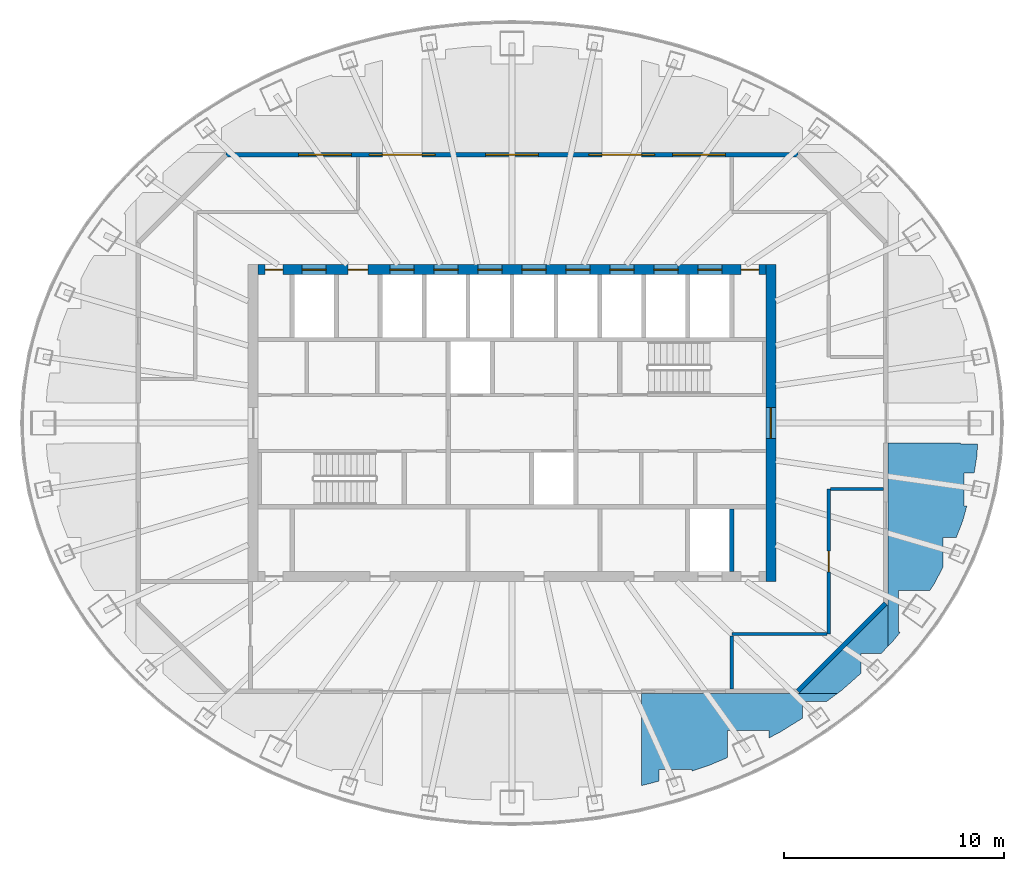
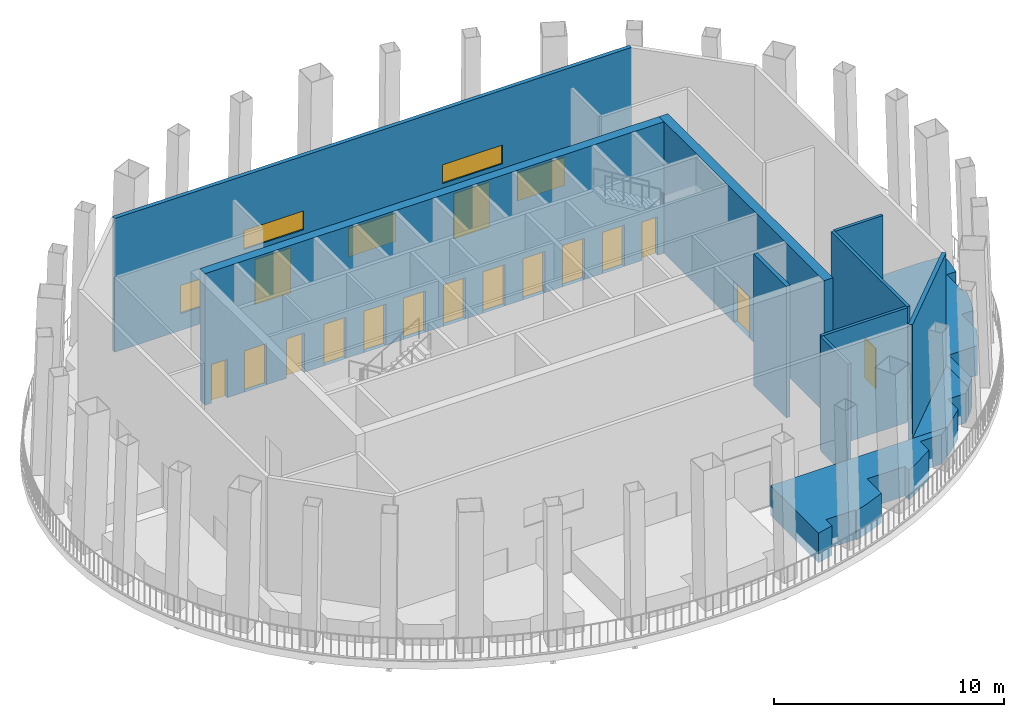
# One storey, part 5 of 12: 16 doors, 12 walls, 5 windows, 21 openings.
"""IFC4 building model written with IfcOpenShell, lengths in metres."""

from ifc_helpers import new_model, si_unit, direction, frame, frame_2d, origin, place, context, subcontext, project, spatial, polyline, rectangle, outline, extrude, material, layer, layer_set, type_object, element, fill, save


model = new_model("IFC4")

# Units and contexts
model_context = context("Model", 3, precision=1e-05, world=origin(), true_north=direction((0.0, 1.0)))
body_context = subcontext(model_context, "Body", "Model", "MODEL_VIEW")
ifc_project = project(units=[si_unit("LENGTHUNIT", "METRE"), si_unit("AREAUNIT", "SQUARE_METRE"), si_unit("VOLUMEUNIT", "CUBIC_METRE"), si_unit("PLANEANGLEUNIT", "RADIAN"), si_unit("MASSUNIT", "GRAM", prefix="KILO")], contexts=[model_context])

# Site, building, storey
site_placement = place(None, origin())
site = spatial("IfcSite", under=ifc_project, at=site_placement, CompositionType="ELEMENT")
building_placement = place(site_placement, origin())
building = spatial("IfcBuilding", under=site, at=building_placement, Name="Siaravel Broadcast Tower", CompositionType="ELEMENT")
storey_placement = place(building_placement, frame((0.0, 0.0, 205.199951171875)))
storey = spatial("IfcBuildingStorey", under=building, at=storey_placement, Name="L50", CompositionType="ELEMENT", Elevation=205.199951171875)

# Wall, opening, door
ifc_material_1 = material(Name="Concrete C60/75", Category="concrete")
ifc_layer_1 = layer(ifc_material_1, 0.449951171875)
ifc_layer_set_1 = layer_set([ifc_layer_1], Name="Concrete C60/75")
wall_type_1 = type_object("IfcWallType", Name="Core wall 450", PredefinedType="SHEAR", material=ifc_layer_set_1)
wall_1_placement = place(storey_placement, frame((11.77490234375, -7.199951171875, 0.0), z_axis=(0.0, 0.0, 1.0), x_axis=(0.0, 1.0, 0.0)))
wall_1 = element("IfcWall", 1, at=wall_1_placement, inside=storey, type_object=wall_type_1, Name="L50 core wall OE", PredefinedType="SHEAR", context=body_context, shape_type="SweptSolid", body=[
    extrude(rectangle(XDim=14.39990234375, YDim=0.449951171875, at=frame_2d((7.199951171875, 0.0))), origin(), (0.0, 0.0, 1.0), 7.0),
])
opening_1_placement = place(wall_1_placement, frame((6.5, 0.0, 0.0)))
opening_1 = element("IfcOpeningElement", 2, at=opening_1_placement, cuts=wall_1, Name="Opening L50-DX-E", PredefinedType="OPENING", context=body_context, shape_type="SweptSolid", body=[
    extrude(rectangle(XDim=1.39990234375, YDim=2.199951171875, at=frame_2d((0.699951171875, 1.10009765625))), frame((0.0, 0.23486328125, 0.0), z_axis=(0.0, -1.0, 0.0), x_axis=(1.0, 0.0, 0.0)), (0.0, 0.0, 1.0), 0.469970703125),
])
ifc_material_2 = material(Name="Steel", Category="steel")
door_type_1 = type_object("IfcDoorType", Name="Core exit door 1400", OperationType="DOUBLE_DOOR_SINGLE_SWING", PredefinedType="DOOR", material=ifc_material_2)
door_1_placement = place(opening_1_placement, origin())
door_1 = element("IfcDoor", 3, at=door_1_placement, inside=storey, type_object=door_type_1, Name="L50 door DX-E", OperationType="DOUBLE_DOOR_SINGLE_SWING", OverallHeight=2.199951171875, OverallWidth=1.39990234375, PredefinedType="DOOR", context=body_context, shape_type="SweptSolid", body=[
    extrude(rectangle(XDim=1.39990234375, YDim=2.199951171875, at=frame_2d((0.699951171875, 1.10009765625))), frame((0.0, 0.02490234375, 0.0), z_axis=(0.0, -1.0, 0.0), x_axis=(1.0, 0.0, 0.0)), (0.0, 0.0, 1.0), 0.050048828125),
])
fill(opening_1, door_1)

# Wall, openings, doors
wall_2_placement = place(storey_placement, frame((-11.550048828125, 6.97509765625, 0.0), z_axis=(0.0, 0.0, 1.0), x_axis=(1.0, 0.0, 0.0)))
wall_2 = element("IfcWall", 4, at=wall_2_placement, inside=storey, type_object=wall_type_1, Name="L50 core wall ON", PredefinedType="SHEAR", context=body_context, shape_type="SweptSolid", body=[
    extrude(rectangle(XDim=23.10009765625, YDim=0.449951171875, at=frame_2d((11.550048828125, 0.0))), origin(), (0.0, 0.0, 1.0), 7.0),
])
opening_2_placement = place(wall_2_placement, frame((2.0, 0.0, 0.0)))
opening_2 = element("IfcOpeningElement", 5, at=opening_2_placement, cuts=wall_2, Name="Opening LD-SV2-L50", PredefinedType="OPENING", context=body_context, shape_type="SweptSolid", body=[
    extrude(rectangle(XDim=1.10009765625, YDim=2.199951171875, at=frame_2d((0.550048828125, 1.10009765625))), frame((0.0, 0.23486328125, 0.0), z_axis=(0.0, -1.0, 0.0), x_axis=(1.0, 0.0, 0.0)), (0.0, 0.0, 1.0), 0.469970703125),
])
opening_3_placement = place(wall_2_placement, frame((6.0, 0.0, 0.0)))
opening_3 = element("IfcOpeningElement", 6, at=opening_3_placement, cuts=wall_2, Name="Opening LD-HP1-L50", PredefinedType="OPENING", context=body_context, shape_type="SweptSolid", body=[
    extrude(rectangle(XDim=1.10009765625, YDim=2.199951171875, at=frame_2d((0.550048828125, 1.10009765625))), frame((0.0, 0.23486328125, 0.0), z_axis=(0.0, -1.0, 0.0), x_axis=(1.0, 0.0, 0.0)), (0.0, 0.0, 1.0), 0.469970703125),
])
opening_4_placement = place(wall_2_placement, frame((8.0, 0.0, 0.0)))
opening_4 = element("IfcOpeningElement", 7, at=opening_4_placement, cuts=wall_2, Name="Opening LD-HP2-L50", PredefinedType="OPENING", context=body_context, shape_type="SweptSolid", body=[
    extrude(rectangle(XDim=1.10009765625, YDim=2.199951171875, at=frame_2d((0.550048828125, 1.10009765625))), frame((0.0, 0.23486328125, 0.0), z_axis=(0.0, -1.0, 0.0), x_axis=(1.0, 0.0, 0.0)), (0.0, 0.0, 1.0), 0.469970703125),
])
opening_5_placement = place(wall_2_placement, frame((10.0, 0.0, 0.0)))
opening_5 = element("IfcOpeningElement", 8, at=opening_5_placement, cuts=wall_2, Name="Opening LD-HP3-L50", PredefinedType="OPENING", context=body_context, shape_type="SweptSolid", body=[
    extrude(rectangle(XDim=1.10009765625, YDim=2.199951171875, at=frame_2d((0.550048828125, 1.10009765625))), frame((0.0, 0.23486328125, 0.0), z_axis=(0.0, -1.0, 0.0), x_axis=(1.0, 0.0, 0.0)), (0.0, 0.0, 1.0), 0.469970703125),
])
opening_6_placement = place(wall_2_placement, frame((12.0, 0.0, 0.0)))
opening_6 = element("IfcOpeningElement", 9, at=opening_6_placement, cuts=wall_2, Name="Opening LD-HP4-L50", PredefinedType="OPENING", context=body_context, shape_type="SweptSolid", body=[
    extrude(rectangle(XDim=1.10009765625, YDim=2.199951171875, at=frame_2d((0.550048828125, 1.10009765625))), frame((0.0, 0.23486328125, 0.0), z_axis=(0.0, -1.0, 0.0), x_axis=(1.0, 0.0, 0.0)), (0.0, 0.0, 1.0), 0.469970703125),
])
opening_7_placement = place(wall_2_placement, frame((14.0, 0.0, 0.0)))
opening_7 = element("IfcOpeningElement", 10, at=opening_7_placement, cuts=wall_2, Name="Opening LD-HP5-L50", PredefinedType="OPENING", context=body_context, shape_type="SweptSolid", body=[
    extrude(rectangle(XDim=1.10009765625, YDim=2.199951171875, at=frame_2d((0.550048828125, 1.10009765625))), frame((0.0, 0.23486328125, 0.0), z_axis=(0.0, -1.0, 0.0), x_axis=(1.0, 0.0, 0.0)), (0.0, 0.0, 1.0), 0.469970703125),
])
opening_8_placement = place(wall_2_placement, frame((16.0, 0.0, 0.0)))
opening_8 = element("IfcOpeningElement", 11, at=opening_8_placement, cuts=wall_2, Name="Opening LD-HP6-L50", PredefinedType="OPENING", context=body_context, shape_type="SweptSolid", body=[
    extrude(rectangle(XDim=1.10009765625, YDim=2.199951171875, at=frame_2d((0.550048828125, 1.10009765625))), frame((0.0, 0.23486328125, 0.0), z_axis=(0.0, -1.0, 0.0), x_axis=(1.0, 0.0, 0.0)), (0.0, 0.0, 1.0), 0.469970703125),
])
opening_9_placement = place(wall_2_placement, frame((18.0, 0.0, 0.0)))
opening_9 = element("IfcOpeningElement", 12, at=opening_9_placement, cuts=wall_2, Name="Opening LD-HP7-L50", PredefinedType="OPENING", context=body_context, shape_type="SweptSolid", body=[
    extrude(rectangle(XDim=1.10009765625, YDim=2.199951171875, at=frame_2d((0.550048828125, 1.10009765625))), frame((0.0, 0.23486328125, 0.0), z_axis=(0.0, -1.0, 0.0), x_axis=(1.0, 0.0, 0.0)), (0.0, 0.0, 1.0), 0.469970703125),
])
opening_10_placement = place(wall_2_placement, frame((20.0, 0.0, 0.0)))
opening_10 = element("IfcOpeningElement", 13, at=opening_10_placement, cuts=wall_2, Name="Opening LD-HP8-L50", PredefinedType="OPENING", context=body_context, shape_type="SweptSolid", body=[
    extrude(rectangle(XDim=1.10009765625, YDim=2.199951171875, at=frame_2d((0.550048828125, 1.10009765625))), frame((0.0, 0.23486328125, 0.0), z_axis=(0.0, -1.0, 0.0), x_axis=(1.0, 0.0, 0.0)), (0.0, 0.0, 1.0), 0.469970703125),
])
opening_11_placement = place(wall_2_placement, frame((4.10009765625, 0.0, 0.0)))
opening_11 = element("IfcOpeningElement", 14, at=opening_11_placement, cuts=wall_2, Name="Opening L50-DFN1", PredefinedType="OPENING", context=body_context, shape_type="SweptSolid", body=[
    extrude(rectangle(XDim=0.89990234375, YDim=2.10009765625, at=frame_2d((0.449951171875, 1.050048828125))), frame((0.0, 0.23486328125, 0.0), z_axis=(0.0, -1.0, 0.0), x_axis=(1.0, 0.0, 0.0)), (0.0, 0.0, 1.0), 0.469970703125),
])
opening_12_placement = place(wall_2_placement, frame((0.324951171875, 0.0, 0.0)))
opening_12 = element("IfcOpeningElement", 15, at=opening_12_placement, cuts=wall_2, Name="Opening L50-DRNW", PredefinedType="OPENING", context=body_context, shape_type="SweptSolid", body=[
    extrude(rectangle(XDim=0.800048828125, YDim=2.050048828125, at=frame_2d((0.39990234375, 1.02490234375))), frame((0.0, 0.23486328125, 0.0), z_axis=(0.0, -1.0, 0.0), x_axis=(1.0, 0.0, 0.0)), (0.0, 0.0, 1.0), 0.469970703125),
])
opening_13_placement = place(wall_2_placement, frame((21.97509765625, 0.0, 0.0)))
opening_13 = element("IfcOpeningElement", 16, at=opening_13_placement, cuts=wall_2, Name="Opening L50-DRNE", PredefinedType="OPENING", context=body_context, shape_type="SweptSolid", body=[
    extrude(rectangle(XDim=0.800048828125, YDim=2.050048828125, at=frame_2d((0.39990234375, 1.02490234375))), frame((0.0, 0.23486328125, 0.0), z_axis=(0.0, -1.0, 0.0), x_axis=(1.0, 0.0, 0.0)), (0.0, 0.0, 1.0), 0.469970703125),
])
ifc_material_3 = material(Name="Timber veneer", Category="wood")
door_type_2 = type_object("IfcDoorType", Name="Core room door 900", OperationType="SINGLE_SWING_LEFT", PredefinedType="DOOR", material=ifc_material_3)
door_2_placement = place(opening_11_placement, origin())
door_2 = element("IfcDoor", 17, at=door_2_placement, inside=storey, type_object=door_type_2, Name="L50 door DFN1", OperationType="SINGLE_SWING_LEFT", OverallHeight=2.10009765625, OverallWidth=0.89990234375, PredefinedType="DOOR", context=body_context, shape_type="SweptSolid", body=[
    extrude(rectangle(XDim=0.89990234375, YDim=2.10009765625, at=frame_2d((0.449951171875, 1.050048828125))), frame((0.0, 0.02490234375, 0.0), z_axis=(0.0, -1.0, 0.0), x_axis=(1.0, 0.0, 0.0)), (0.0, 0.0, 1.0), 0.050048828125),
])
fill(opening_11, door_2)
ifc_material_4 = material(Name="Stainless steel 316L", Category="steel")
door_type_3 = type_object("IfcDoorType", Name="Lift landing door 1100", OperationType="DOUBLE_DOOR_SLIDING", PredefinedType="DOOR", material=ifc_material_4)
door_3_placement = place(opening_3_placement, origin())
door_3 = element("IfcDoor", 18, at=door_3_placement, inside=storey, type_object=door_type_3, Name="Landing door HP1 L50", OperationType="DOUBLE_DOOR_SLIDING", OverallHeight=2.199951171875, OverallWidth=1.10009765625, PredefinedType="DOOR", context=body_context, shape_type="SweptSolid", body=[
    extrude(rectangle(XDim=1.10009765625, YDim=2.199951171875, at=frame_2d((0.550048828125, 1.10009765625))), frame((0.0, 0.02490234375, 0.0), z_axis=(0.0, -1.0, 0.0), x_axis=(1.0, 0.0, 0.0)), (0.0, 0.0, 1.0), 0.050048828125),
])
fill(opening_3, door_3)
door_4_placement = place(opening_4_placement, origin())
door_4 = element("IfcDoor", 19, at=door_4_placement, inside=storey, type_object=door_type_3, Name="Landing door HP2 L50", OperationType="DOUBLE_DOOR_SLIDING", OverallHeight=2.199951171875, OverallWidth=1.10009765625, PredefinedType="DOOR", context=body_context, shape_type="SweptSolid", body=[
    extrude(rectangle(XDim=1.10009765625, YDim=2.199951171875, at=frame_2d((0.550048828125, 1.10009765625))), frame((0.0, 0.02490234375, 0.0), z_axis=(0.0, -1.0, 0.0), x_axis=(1.0, 0.0, 0.0)), (0.0, 0.0, 1.0), 0.050048828125),
])
fill(opening_4, door_4)
door_5_placement = place(opening_5_placement, origin())
door_5 = element("IfcDoor", 20, at=door_5_placement, inside=storey, type_object=door_type_3, Name="Landing door HP3 L50", OperationType="DOUBLE_DOOR_SLIDING", OverallHeight=2.199951171875, OverallWidth=1.10009765625, PredefinedType="DOOR", context=body_context, shape_type="SweptSolid", body=[
    extrude(rectangle(XDim=1.10009765625, YDim=2.199951171875, at=frame_2d((0.550048828125, 1.10009765625))), frame((0.0, 0.02490234375, 0.0), z_axis=(0.0, -1.0, 0.0), x_axis=(1.0, 0.0, 0.0)), (0.0, 0.0, 1.0), 0.050048828125),
])
fill(opening_5, door_5)
door_6_placement = place(opening_6_placement, origin())
door_6 = element("IfcDoor", 21, at=door_6_placement, inside=storey, type_object=door_type_3, Name="Landing door HP4 L50", OperationType="DOUBLE_DOOR_SLIDING", OverallHeight=2.199951171875, OverallWidth=1.10009765625, PredefinedType="DOOR", context=body_context, shape_type="SweptSolid", body=[
    extrude(rectangle(XDim=1.10009765625, YDim=2.199951171875, at=frame_2d((0.550048828125, 1.10009765625))), frame((0.0, 0.02490234375, 0.0), z_axis=(0.0, -1.0, 0.0), x_axis=(1.0, 0.0, 0.0)), (0.0, 0.0, 1.0), 0.050048828125),
])
fill(opening_6, door_6)
door_7_placement = place(opening_7_placement, origin())
door_7 = element("IfcDoor", 22, at=door_7_placement, inside=storey, type_object=door_type_3, Name="Landing door HP5 L50", OperationType="DOUBLE_DOOR_SLIDING", OverallHeight=2.199951171875, OverallWidth=1.10009765625, PredefinedType="DOOR", context=body_context, shape_type="SweptSolid", body=[
    extrude(rectangle(XDim=1.10009765625, YDim=2.199951171875, at=frame_2d((0.550048828125, 1.10009765625))), frame((0.0, 0.02490234375, 0.0), z_axis=(0.0, -1.0, 0.0), x_axis=(1.0, 0.0, 0.0)), (0.0, 0.0, 1.0), 0.050048828125),
])
fill(opening_7, door_7)
door_8_placement = place(opening_8_placement, origin())
door_8 = element("IfcDoor", 23, at=door_8_placement, inside=storey, type_object=door_type_3, Name="Landing door HP6 L50", OperationType="DOUBLE_DOOR_SLIDING", OverallHeight=2.199951171875, OverallWidth=1.10009765625, PredefinedType="DOOR", context=body_context, shape_type="SweptSolid", body=[
    extrude(rectangle(XDim=1.10009765625, YDim=2.199951171875, at=frame_2d((0.550048828125, 1.10009765625))), frame((0.0, 0.02490234375, 0.0), z_axis=(0.0, -1.0, 0.0), x_axis=(1.0, 0.0, 0.0)), (0.0, 0.0, 1.0), 0.050048828125),
])
fill(opening_8, door_8)
door_9_placement = place(opening_9_placement, origin())
door_9 = element("IfcDoor", 24, at=door_9_placement, inside=storey, type_object=door_type_3, Name="Landing door HP7 L50", OperationType="DOUBLE_DOOR_SLIDING", OverallHeight=2.199951171875, OverallWidth=1.10009765625, PredefinedType="DOOR", context=body_context, shape_type="SweptSolid", body=[
    extrude(rectangle(XDim=1.10009765625, YDim=2.199951171875, at=frame_2d((0.550048828125, 1.10009765625))), frame((0.0, 0.02490234375, 0.0), z_axis=(0.0, -1.0, 0.0), x_axis=(1.0, 0.0, 0.0)), (0.0, 0.0, 1.0), 0.050048828125),
])
fill(opening_9, door_9)
door_10_placement = place(opening_10_placement, origin())
door_10 = element("IfcDoor", 25, at=door_10_placement, inside=storey, type_object=door_type_3, Name="Landing door HP8 L50", OperationType="DOUBLE_DOOR_SLIDING", OverallHeight=2.199951171875, OverallWidth=1.10009765625, PredefinedType="DOOR", context=body_context, shape_type="SweptSolid", body=[
    extrude(rectangle(XDim=1.10009765625, YDim=2.199951171875, at=frame_2d((0.550048828125, 1.10009765625))), frame((0.0, 0.02490234375, 0.0), z_axis=(0.0, -1.0, 0.0), x_axis=(1.0, 0.0, 0.0)), (0.0, 0.0, 1.0), 0.050048828125),
])
fill(opening_10, door_10)
door_type_4 = type_object("IfcDoorType", Name="Riser door 800", OperationType="SINGLE_SWING_LEFT", PredefinedType="DOOR", material=ifc_material_2)
door_11_placement = place(opening_12_placement, origin())
door_11 = element("IfcDoor", 26, at=door_11_placement, inside=storey, type_object=door_type_4, Name="L50 door DRNW", OperationType="SINGLE_SWING_LEFT", OverallHeight=2.050048828125, OverallWidth=0.800048828125, PredefinedType="DOOR", context=body_context, shape_type="SweptSolid", body=[
    extrude(rectangle(XDim=0.800048828125, YDim=2.050048828125, at=frame_2d((0.39990234375, 1.02490234375))), frame((0.0, 0.02490234375, 0.0), z_axis=(0.0, -1.0, 0.0), x_axis=(1.0, 0.0, 0.0)), (0.0, 0.0, 1.0), 0.050048828125),
])
fill(opening_12, door_11)
door_12_placement = place(opening_13_placement, origin())
door_12 = element("IfcDoor", 27, at=door_12_placement, inside=storey, type_object=door_type_4, Name="L50 door DRNE", OperationType="SINGLE_SWING_LEFT", OverallHeight=2.050048828125, OverallWidth=0.800048828125, PredefinedType="DOOR", context=body_context, shape_type="SweptSolid", body=[
    extrude(rectangle(XDim=0.800048828125, YDim=2.050048828125, at=frame_2d((0.39990234375, 1.02490234375))), frame((0.0, 0.02490234375, 0.0), z_axis=(0.0, -1.0, 0.0), x_axis=(1.0, 0.0, 0.0)), (0.0, 0.0, 1.0), 0.050048828125),
])
fill(opening_13, door_12)
door_type_5 = type_object("IfcDoorType", Name="Service lift landing door 1100", OperationType="DOUBLE_DOOR_SLIDING", PredefinedType="DOOR", material=ifc_material_4)
door_13_placement = place(opening_2_placement, origin())
door_13 = element("IfcDoor", 28, at=door_13_placement, inside=storey, type_object=door_type_5, Name="Landing door SV2 L50", OperationType="DOUBLE_DOOR_SLIDING", OverallHeight=2.199951171875, OverallWidth=1.10009765625, PredefinedType="DOOR", context=body_context, shape_type="SweptSolid", body=[
    extrude(rectangle(XDim=1.10009765625, YDim=2.199951171875, at=frame_2d((0.550048828125, 1.10009765625))), frame((0.0, 0.02490234375, 0.0), z_axis=(0.0, -1.0, 0.0), x_axis=(1.0, 0.0, 0.0)), (0.0, 0.0, 1.0), 0.050048828125),
])
fill(opening_2, door_13)

# Wall, opening, door
ifc_material_5 = material(Name="Gypsum board partition", Category="gypsum")
ifc_layer_2 = layer(ifc_material_5, 0.14990234375)
ifc_layer_set_2 = layer_set([ifc_layer_2], Name="Gypsum board partition")
wall_type_2 = type_object("IfcWallType", Name="Corridor wall 150", PredefinedType="PARTITIONING", material=ifc_layer_set_2)
wall_3_placement = place(storey_placement, frame((14.39990234375, -3.0, 0.0), z_axis=(0.0, 0.0, 1.0), x_axis=(0.0, -1.0, 0.0)))
wall_3 = element("IfcWall", 29, at=wall_3_placement, inside=storey, type_object=wall_type_2, Name="L50 partition 3", PredefinedType="PARTITIONING", context=body_context, shape_type="SweptSolid", body=[
    extrude(rectangle(XDim=6.60009765625, YDim=0.14990234375, at=frame_2d((3.300048828125, 0.0))), origin(), (0.0, 0.0, 1.0), 6.10009765625),
])
opening_14_placement = place(wall_3_placement, frame((2.824951171875, 0.0, 0.0)))
opening_14 = element("IfcOpeningElement", 30, at=opening_14_placement, cuts=wall_3, Name="Opening L50-003", PredefinedType="OPENING", context=body_context, shape_type="SweptSolid", body=[
    extrude(rectangle(XDim=0.949951171875, YDim=2.14990234375, at=frame_2d((0.47509765625, 1.074951171875))), frame((0.0, 0.0849609375, 0.0), z_axis=(0.0, -1.0, 0.0), x_axis=(1.0, 0.0, 0.0)), (0.0, 0.0, 1.0), 0.169921875),
])
door_type_6 = type_object("IfcDoorType", Name="Office door 950", OperationType="SINGLE_SWING_LEFT", PredefinedType="DOOR", material=ifc_material_3)
door_14_placement = place(opening_14_placement, origin())
door_14 = element("IfcDoor", 31, at=door_14_placement, inside=storey, type_object=door_type_6, Name="L50 door to Presenter studio", OperationType="SINGLE_SWING_LEFT", OverallHeight=2.14990234375, OverallWidth=0.949951171875, PredefinedType="DOOR", context=body_context, shape_type="SweptSolid", body=[
    extrude(rectangle(XDim=0.949951171875, YDim=2.14990234375, at=frame_2d((0.47509765625, 1.074951171875))), frame((0.0, 0.02490234375, 0.0), z_axis=(0.0, -1.0, 0.0), x_axis=(1.0, 0.0, 0.0)), (0.0, 0.0, 1.0), 0.050048828125),
])
fill(opening_14, door_14)

# Walls
wall_4_placement = place(storey_placement, frame((14.322998046875, -9.60009765625, 0.0), z_axis=(0.0, 0.0, 1.0), x_axis=(-1.0, 0.0, 0.0)))
element("IfcWall", 32, at=wall_4_placement, inside=storey, type_object=wall_type_2, Name="L50 partition 8", PredefinedType="PARTITIONING", context=body_context, shape_type="SweptSolid", body=[
    extrude(rectangle(XDim=4.322998046875, YDim=0.14990234375, at=frame_2d((2.16162109375, 0.0))), origin(), (0.0, 0.0, 1.0), 6.10009765625),
])
wall_5_placement = place(storey_placement, frame((10.0, -9.677001953125, 0.0), z_axis=(0.0, 0.0, 1.0), x_axis=(0.0, -1.0, 0.0)))
element("IfcWall", 33, at=wall_5_placement, inside=storey, type_object=wall_type_2, Name="L50 partition 10", PredefinedType="PARTITIONING", context=body_context, shape_type="SweptSolid", body=[
    extrude(rectangle(XDim=2.423095703125, YDim=0.14990234375, at=frame_2d((1.21142578125, 0.0))), origin(), (0.0, 0.0, 1.0), 6.10009765625),
])
wall_6_placement = place(storey_placement, frame((16.89990234375, -3.0, 0.0), z_axis=(0.0, 0.0, 1.0), x_axis=(-1.0, 0.0, 0.0)))
element("IfcWall", 34, at=wall_6_placement, inside=storey, type_object=wall_type_2, Name="L50 partition 14", PredefinedType="PARTITIONING", context=body_context, shape_type="SweptSolid", body=[
    extrude(rectangle(XDim=2.4228515625, YDim=0.14990234375, at=frame_2d((1.21142578125, 0.0))), origin(), (0.0, 0.0, 1.0), 6.10009765625),
])
ifc_material_6 = material(Name="Concrete C40/50", Category="concrete")
ifc_layer_3 = layer(ifc_material_6, 1.0)
ifc_layer_set_3 = layer_set([ifc_layer_3], Name="Concrete C40/50")
wall_type_3 = type_object("IfcWallType", Name="Garden planter box", PredefinedType="ELEMENTEDWALL", material=ifc_layer_set_3)
wall_7_placement = place(storey_placement, frame((0.0, 0.0, -0.39990234375)))
element("IfcWall", 35, at=wall_7_placement, inside=storey, type_object=wall_type_3, Name="L50 garden planting bed 03", PredefinedType="ELEMENTEDWALL", context=body_context, shape_type="SweptSolid", body=[
    extrude(outline(polyline([(14.802978515625, -12.300048828125), (13.04150390625, -12.300048828125), (5.89990234375, -12.300048828125), (5.89990234375, -16.489501953125), (6.6962890625, -16.286376953125), (6.6962890625, -15.755859375), (8.1962890625, -15.755859375), (8.1962890625, -15.82861328125), (8.970458984375, -15.569091796875), (9.7998046875, -15.2197265625), (9.7998046875, -13.97412109375), (11.69970703125, -13.97412109375), (11.69970703125, -14.31689453125), (12.1748046875, -14.072021484375), (13.22119140625, -13.422119140625), (13.22119140625, -12.67138671875), (14.30224609375, -12.67138671875), (14.802978515625, -12.300048828125)])), origin(), (0.0, 0.0, 1.0), 1.579833984375),
])
wall_8_placement = place(storey_placement, frame((0.0, 0.0, -0.39990234375)))
element("IfcWall", 36, at=wall_8_placement, inside=storey, type_object=wall_type_3, Name="L50 garden planting bed 05", PredefinedType="ELEMENTEDWALL", context=body_context, shape_type="SweptSolid", body=[
    extrude(outline(polyline([(17.10009765625, -10.15625), (17.10009765625, -8.241455078125), (13.04150390625, -12.300048828125), (14.802978515625, -12.300048828125), (15.009033203125, -12.147216796875), (15.88134765625, -11.376708984375), (15.88134765625, -10.49267578125), (16.78125, -10.49267578125), (17.10009765625, -10.15625)])), origin(), (0.0, 0.0, 1.0), 1.579833984375),
])
wall_9_placement = place(storey_placement, frame((0.0, 0.0, -0.39990234375)))
element("IfcWall", 37, at=wall_9_placement, inside=storey, type_object=wall_type_3, Name="L50 garden planting bed 07", PredefinedType="ELEMENTEDWALL", context=body_context, shape_type="SweptSolid", body=[
    extrude(outline(polyline([(20.502685546875, -4.446044921875), (20.68701171875, -3.7734375), (20.567138671875, -3.7734375), (20.567138671875, -2.2734375), (21.01904296875, -2.2734375), (21.145263671875, -1.497314453125), (21.1748046875, -0.949951171875), (20.39013671875, -0.949951171875), (20.39013671875, -0.89990234375), (17.10009765625, -0.89990234375), (17.10009765625, -8.241455078125), (17.10009765625, -10.15625), (17.387451171875, -9.853271484375), (17.66015625, -9.5068359375), (17.584716796875, -9.5068359375), (17.584716796875, -7.606689453125), (19.014404296875, -7.606689453125), (19.2373046875, -7.260009765625), (19.605712890625, -6.5400390625), (19.605712890625, -5.2119140625), (20.20458984375, -5.2119140625), (20.502685546875, -4.446044921875)])), origin(), (0.0, 0.0, 1.0), 1.579833984375),
])
ifc_layer_4 = layer(ifc_material_1, 0.199951171875)
ifc_layer_set_4 = layer_set([ifc_layer_4], Name="Concrete C60/75")
wall_type_4 = type_object("IfcWallType", Name="Shaft wall 200", PredefinedType="SHEAR", material=ifc_layer_set_4)
wall_10_placement = place(storey_placement, frame((10.0, -6.75, 0.0), z_axis=(0.0, 0.0, 1.0), x_axis=(0.0, 1.0, 0.0)))
element("IfcWall", 38, at=wall_10_placement, inside=storey, type_object=wall_type_4, Name="L50 core wall SWS10", PredefinedType="SHEAR", context=body_context, shape_type="SweptSolid", body=[
    extrude(rectangle(XDim=2.85009765625, YDim=0.199951171875, at=frame_2d((1.425048828125, 0.0))), origin(), (0.0, 0.0, 1.0), 7.0),
])

# Wall, openings, doors, windows
ifc_layer_5 = layer(ifc_material_6, 0.199951171875)
ifc_layer_set_5 = layer_set([ifc_layer_5], Name="Concrete C40/50")
wall_type_5 = type_object("IfcWallType", Name="Sky lobby enclosure wall", PredefinedType="STANDARD", material=ifc_layer_set_5)
wall_11_placement = place(storey_placement, frame((-13.0, 12.199951171875, 0.080078125), z_axis=(0.0, 0.0, 1.0), x_axis=(1.0, 0.0, 0.0)))
wall_11 = element("IfcWall", 39, at=wall_11_placement, inside=storey, type_object=wall_type_5, Name="L50 sky lobby enclosure wall N", PredefinedType="STANDARD", context=body_context, shape_type="SweptSolid", body=[
    extrude(rectangle(XDim=26.0, YDim=0.199951171875, at=frame_2d((13.0, 0.0))), origin(), (0.0, 0.0, 1.0), 7.119873046875),
])
opening_15_placement = place(wall_11_placement, frame((7.10009765625, 0.0, 0.0)))
opening_15 = element("IfcOpeningElement", 40, at=opening_15_placement, cuts=wall_11, Name="Opening L50-GDN-N1", PredefinedType="OPENING", context=body_context, shape_type="SweptSolid", body=[
    extrude(rectangle(XDim=1.800048828125, YDim=2.39990234375, at=frame_2d((0.89990234375, 1.199951171875))), frame((0.0, 0.10986328125, 0.0), z_axis=(0.0, -1.0, 0.0), x_axis=(1.0, 0.0, 0.0)), (0.0, 0.0, 1.0), 0.219970703125),
])
opening_16_placement = place(wall_11_placement, frame((17.10009765625, 0.0, 0.0)))
opening_16 = element("IfcOpeningElement", 41, at=opening_16_placement, cuts=wall_11, Name="Opening L50-GDN-N2", PredefinedType="OPENING", context=body_context, shape_type="SweptSolid", body=[
    extrude(rectangle(XDim=1.800048828125, YDim=2.39990234375, at=frame_2d((0.89990234375, 1.199951171875))), frame((0.0, 0.10986328125, 0.0), z_axis=(0.0, -1.0, 0.0), x_axis=(1.0, 0.0, 0.0)), (0.0, 0.0, 1.0), 0.219970703125),
])
opening_17_placement = place(wall_11_placement, frame((3.300048828125, 0.0, 0.89990234375)))
opening_17 = element("IfcOpeningElement", 42, at=opening_17_placement, cuts=wall_11, Name="Opening WX-1", PredefinedType="OPENING", context=body_context, shape_type="SweptSolid", body=[
    extrude(rectangle(XDim=2.39990234375, YDim=1.5, at=frame_2d((1.199951171875, 0.75))), frame((0.0, 0.10986328125, 0.0), z_axis=(0.0, -1.0, 0.0), x_axis=(1.0, 0.0, 0.0)), (0.0, 0.0, 1.0), 0.219970703125),
])
opening_18_placement = place(wall_11_placement, frame((11.800048828125, 0.0, 0.89990234375)))
opening_18 = element("IfcOpeningElement", 43, at=opening_18_placement, cuts=wall_11, Name="Opening WX-1", PredefinedType="OPENING", context=body_context, shape_type="SweptSolid", body=[
    extrude(rectangle(XDim=2.39990234375, YDim=1.5, at=frame_2d((1.199951171875, 0.75))), frame((0.0, 0.10986328125, 0.0), z_axis=(0.0, -1.0, 0.0), x_axis=(1.0, 0.0, 0.0)), (0.0, 0.0, 1.0), 0.219970703125),
])
opening_19_placement = place(wall_11_placement, frame((20.300048828125, 0.0, 0.89990234375)))
opening_19 = element("IfcOpeningElement", 44, at=opening_19_placement, cuts=wall_11, Name="Opening WX-1", PredefinedType="OPENING", context=body_context, shape_type="SweptSolid", body=[
    extrude(rectangle(XDim=2.39990234375, YDim=1.5, at=frame_2d((1.199951171875, 0.75))), frame((0.0, 0.10986328125, 0.0), z_axis=(0.0, -1.0, 0.0), x_axis=(1.0, 0.0, 0.0)), (0.0, 0.0, 1.0), 0.219970703125),
])
opening_20_placement = place(wall_11_placement, frame((6.5, 0.0, 3.199951171875)))
opening_20 = element("IfcOpeningElement", 45, at=opening_20_placement, cuts=wall_11, Name="Opening WX-3", PredefinedType="OPENING", context=body_context, shape_type="SweptSolid", body=[
    extrude(rectangle(XDim=3.0, YDim=1.0, at=frame_2d((1.5, 0.5))), frame((0.0, 0.10986328125, 0.0), z_axis=(0.0, -1.0, 0.0), x_axis=(1.0, 0.0, 0.0)), (0.0, 0.0, 1.0), 0.219970703125),
])
opening_21_placement = place(wall_11_placement, frame((16.5, 0.0, 3.199951171875)))
opening_21 = element("IfcOpeningElement", 46, at=opening_21_placement, cuts=wall_11, Name="Opening WX-3", PredefinedType="OPENING", context=body_context, shape_type="SweptSolid", body=[
    extrude(rectangle(XDim=3.0, YDim=1.0, at=frame_2d((1.5, 0.5))), frame((0.0, 0.10986328125, 0.0), z_axis=(0.0, -1.0, 0.0), x_axis=(1.0, 0.0, 0.0)), (0.0, 0.0, 1.0), 0.219970703125),
])
ifc_material_7 = material(Name="Aluminium 6063-T6", Category="aluminium")
door_type_7 = type_object("IfcDoorType", Name="Garden door", OperationType="DOUBLE_DOOR_SINGLE_SWING", PredefinedType="DOOR", material=ifc_material_7)
door_15_placement = place(opening_15_placement, origin())
door_15 = element("IfcDoor", 47, at=door_15_placement, inside=storey, type_object=door_type_7, Name="L50 garden door N1", OperationType="DOUBLE_DOOR_SINGLE_SWING", OverallHeight=2.39990234375, OverallWidth=1.800048828125, PredefinedType="DOOR", context=body_context, shape_type="SweptSolid", body=[
    extrude(rectangle(XDim=1.800048828125, YDim=2.39990234375, at=frame_2d((0.89990234375, 1.199951171875))), frame((0.0, 0.02490234375, 0.0), z_axis=(0.0, -1.0, 0.0), x_axis=(1.0, 0.0, 0.0)), (0.0, 0.0, 1.0), 0.050048828125),
])
fill(opening_15, door_15)
door_16_placement = place(opening_16_placement, origin())
door_16 = element("IfcDoor", 48, at=door_16_placement, inside=storey, type_object=door_type_7, Name="L50 garden door N2", OperationType="DOUBLE_DOOR_SINGLE_SWING", OverallHeight=2.39990234375, OverallWidth=1.800048828125, PredefinedType="DOOR", context=body_context, shape_type="SweptSolid", body=[
    extrude(rectangle(XDim=1.800048828125, YDim=2.39990234375, at=frame_2d((0.89990234375, 1.199951171875))), frame((0.0, 0.02490234375, 0.0), z_axis=(0.0, -1.0, 0.0), x_axis=(1.0, 0.0, 0.0)), (0.0, 0.0, 1.0), 0.050048828125),
])
fill(opening_16, door_16)
window_type_1 = type_object("IfcWindowType", Name="Sky lobby clerestory window 3000x1000", PartitioningType="SINGLE_PANEL", PredefinedType="WINDOW", material=ifc_material_7)
window_1_placement = place(opening_20_placement, origin())
window_1 = element("IfcWindow", 49, at=window_1_placement, inside=storey, type_object=window_type_1, Name="L50 sky lobby clerestory window N1", OverallHeight=1.0, OverallWidth=3.0, PartitioningType="SINGLE_PANEL", PredefinedType="WINDOW", context=body_context, shape_type="SweptSolid", body=[
    extrude(rectangle(XDim=3.0, YDim=1.0, at=frame_2d((1.5, 0.5))), frame((0.0, 0.030029296875, 0.0), z_axis=(0.0, -1.0, 0.0), x_axis=(1.0, 0.0, 0.0)), (0.0, 0.0, 1.0), 0.06005859375),
])
fill(opening_20, window_1)
window_2_placement = place(opening_21_placement, origin())
window_2 = element("IfcWindow", 50, at=window_2_placement, inside=storey, type_object=window_type_1, Name="L50 sky lobby clerestory window N2", OverallHeight=1.0, OverallWidth=3.0, PartitioningType="SINGLE_PANEL", PredefinedType="WINDOW", context=body_context, shape_type="SweptSolid", body=[
    extrude(rectangle(XDim=3.0, YDim=1.0, at=frame_2d((1.5, 0.5))), frame((0.0, 0.030029296875, 0.0), z_axis=(0.0, -1.0, 0.0), x_axis=(1.0, 0.0, 0.0)), (0.0, 0.0, 1.0), 0.06005859375),
])
fill(opening_21, window_2)
window_type_2 = type_object("IfcWindowType", Name="Sky lobby picture window 2400x1500", PartitioningType="SINGLE_PANEL", PredefinedType="WINDOW", material=ifc_material_7)
window_3_placement = place(opening_17_placement, origin())
window_3 = element("IfcWindow", 51, at=window_3_placement, inside=storey, type_object=window_type_2, Name="L50 sky lobby window N1", OverallHeight=1.5, OverallWidth=2.39990234375, PartitioningType="SINGLE_PANEL", PredefinedType="WINDOW", context=body_context, shape_type="SweptSolid", body=[
    extrude(rectangle(XDim=2.39990234375, YDim=1.5, at=frame_2d((1.199951171875, 0.75))), frame((0.0, 0.030029296875, 0.0), z_axis=(0.0, -1.0, 0.0), x_axis=(1.0, 0.0, 0.0)), (0.0, 0.0, 1.0), 0.06005859375),
])
fill(opening_17, window_3)
window_4_placement = place(opening_18_placement, origin())
window_4 = element("IfcWindow", 52, at=window_4_placement, inside=storey, type_object=window_type_2, Name="L50 sky lobby window N2", OverallHeight=1.5, OverallWidth=2.39990234375, PartitioningType="SINGLE_PANEL", PredefinedType="WINDOW", context=body_context, shape_type="SweptSolid", body=[
    extrude(rectangle(XDim=2.39990234375, YDim=1.5, at=frame_2d((1.199951171875, 0.75))), frame((0.0, 0.030029296875, 0.0), z_axis=(0.0, -1.0, 0.0), x_axis=(1.0, 0.0, 0.0)), (0.0, 0.0, 1.0), 0.06005859375),
])
fill(opening_18, window_4)
window_5_placement = place(opening_19_placement, origin())
window_5 = element("IfcWindow", 53, at=window_5_placement, inside=storey, type_object=window_type_2, Name="L50 sky lobby window N3", OverallHeight=1.5, OverallWidth=2.39990234375, PartitioningType="SINGLE_PANEL", PredefinedType="WINDOW", context=body_context, shape_type="SweptSolid", body=[
    extrude(rectangle(XDim=2.39990234375, YDim=1.5, at=frame_2d((1.199951171875, 0.75))), frame((0.0, 0.030029296875, 0.0), z_axis=(0.0, -1.0, 0.0), x_axis=(1.0, 0.0, 0.0)), (0.0, 0.0, 1.0), 0.06005859375),
])
fill(opening_19, window_5)

# Wall
wall_12_placement = place(storey_placement, frame((17.0, -8.199951171875, 0.080078125), z_axis=(0.0, 0.0, 1.0), x_axis=(-0.707106781, -0.707106781, 0.0)))
element("IfcWall", 54, at=wall_12_placement, inside=storey, type_object=wall_type_5, Name="L50 sky lobby enclosure wall SE", PredefinedType="STANDARD", context=body_context, shape_type="SweptSolid", body=[
    extrude(rectangle(XDim=5.65673828125, YDim=0.199951171875, at=frame_2d((2.828369140625, 0.0))), origin(), (0.0, 0.0, 1.0), 7.119873046875),
])

save(model, "model.ifc")
